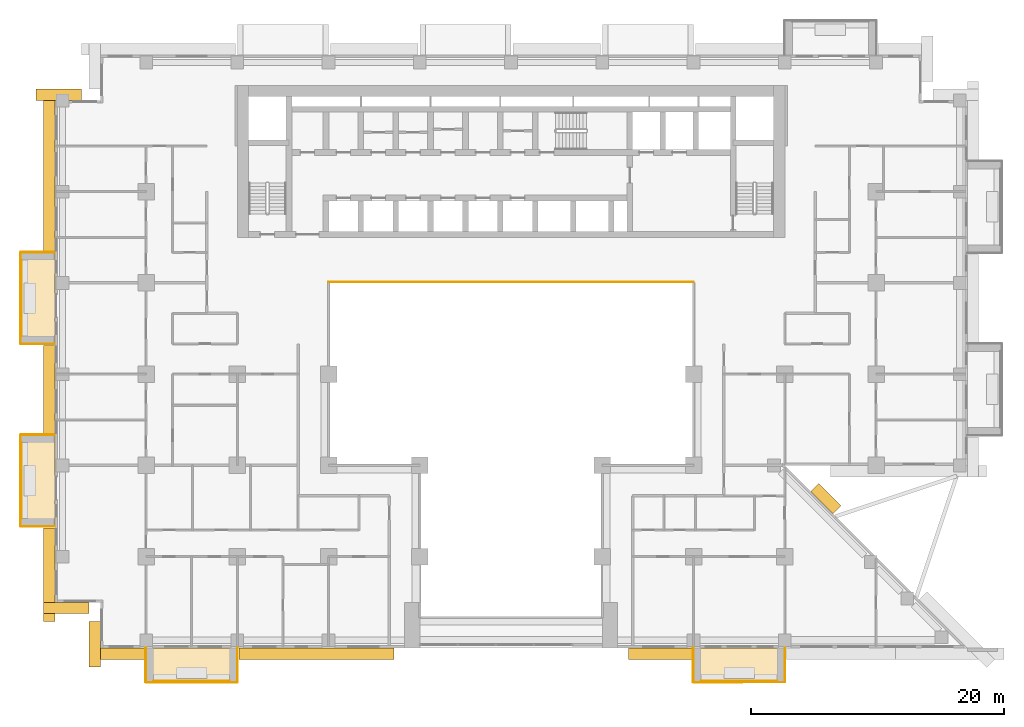
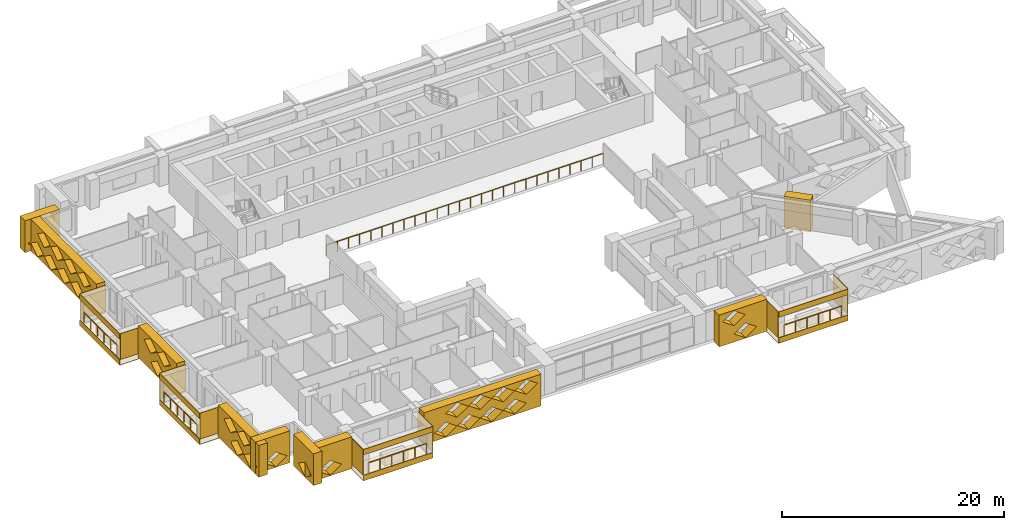
# One storey, part 13 of 16: 30 coverings, 5 railings.
"""IFC4 building model written with IfcOpenShell, lengths in metres."""

from ifc_helpers import new_model, si_unit, direction, frame, origin, origin_2d, place, context, subcontext, project, spatial, polyline, circle, outline, extrude, material, layer, layer_set, type_object, element, save


model = new_model("IFC4")

# Units and contexts
model_context = context("Model", 3, precision=1e-05, world=origin(), true_north=direction((0.0, 1.0)))
body_context = subcontext(model_context, "Body", "Model", "MODEL_VIEW")
ifc_project = project(units=[si_unit("LENGTHUNIT", "METRE"), si_unit("AREAUNIT", "SQUARE_METRE"), si_unit("VOLUMEUNIT", "CUBIC_METRE"), si_unit("PLANEANGLEUNIT", "RADIAN"), si_unit("MASSUNIT", "GRAM", prefix="KILO")], contexts=[model_context])

# Site, building, storey
site_placement = place(None, origin())
site = spatial("IfcSite", under=ifc_project, at=site_placement, CompositionType="ELEMENT")
building_placement = place(site_placement, origin())
building = spatial("IfcBuilding", under=site, at=building_placement, Name="Saffron Iwan Residences", CompositionType="ELEMENT")
storey_placement = place(building_placement, frame((0.0, 0.0, 65.5)))
storey = spatial("IfcBuildingStorey", under=building, at=storey_placement, Name="L16", CompositionType="ELEMENT", Elevation=65.5)

# Railings
ifc_material_1 = material(Name="Stainless steel 316", Category="steel")
railing_type_1 = type_object("IfcRailingType", Name="Atrium guard 1150", PredefinedType="GUARDRAIL", material=ifc_material_1)
railing_placement = place(storey_placement, frame((36.0, 62.47509765625, 0.0)))
element("IfcRailing", 1, at=railing_placement, inside=storey, type_object=railing_type_1, Name="Atrium guard L16", PredefinedType="GUARDRAIL", context=body_context, shape_type="SweptSolid", body=[
    extrude(circle(Radius=0.02392578125, at=origin_2d()), frame((0.0, 0.0, 1.1259765625), z_axis=(1.0, 0.0, 0.0), x_axis=(0.0, 1.0, 0.0)), (0.0, 0.0, 1.0), 28.800048828125),
    extrude(circle(Radius=0.02099609375, at=origin_2d()), origin(), (0.0, 0.0, 1.0), 1.101806640625),
    extrude(circle(Radius=0.02099609375, at=origin_2d()), frame((1.152099609375, 0.0, 0.0)), (0.0, 0.0, 1.0), 1.101806640625),
    extrude(circle(Radius=0.02099609375, at=origin_2d()), frame((2.303955078125, 0.0, 0.0)), (0.0, 0.0, 1.0), 1.101806640625),
    extrude(circle(Radius=0.02099609375, at=origin_2d()), frame((3.4560546875, 0.0, 0.0)), (0.0, 0.0, 1.0), 1.101806640625),
    extrude(circle(Radius=0.02099609375, at=origin_2d()), frame((4.60791015625, 0.0, 0.0)), (0.0, 0.0, 1.0), 1.101806640625),
    extrude(circle(Radius=0.02099609375, at=origin_2d()), frame((5.760009765625, 0.0, 0.0)), (0.0, 0.0, 1.0), 1.101806640625),
    extrude(circle(Radius=0.02099609375, at=origin_2d()), frame((6.912109375, 0.0, 0.0)), (0.0, 0.0, 1.0), 1.101806640625),
    extrude(circle(Radius=0.02099609375, at=origin_2d()), frame((8.06396484375, 0.0, 0.0)), (0.0, 0.0, 1.0), 1.101806640625),
    extrude(circle(Radius=0.02099609375, at=origin_2d()), frame((9.216064453125, 0.0, 0.0)), (0.0, 0.0, 1.0), 1.101806640625),
    extrude(circle(Radius=0.02099609375, at=origin_2d()), frame((10.367919921875, 0.0, 0.0)), (0.0, 0.0, 1.0), 1.101806640625),
    extrude(circle(Radius=0.02099609375, at=origin_2d()), frame((11.52001953125, 0.0, 0.0)), (0.0, 0.0, 1.0), 1.101806640625),
    extrude(circle(Radius=0.02099609375, at=origin_2d()), frame((12.672119140625, 0.0, 0.0)), (0.0, 0.0, 1.0), 1.101806640625),
    extrude(circle(Radius=0.02099609375, at=origin_2d()), frame((13.823974609375, 0.0, 0.0)), (0.0, 0.0, 1.0), 1.101806640625),
    extrude(circle(Radius=0.02099609375, at=origin_2d()), frame((14.97607421875, 0.0, 0.0)), (0.0, 0.0, 1.0), 1.101806640625),
    extrude(circle(Radius=0.02099609375, at=origin_2d()), frame((16.1279296875, 0.0, 0.0)), (0.0, 0.0, 1.0), 1.101806640625),
    extrude(circle(Radius=0.02099609375, at=origin_2d()), frame((17.280029296875, 0.0, 0.0)), (0.0, 0.0, 1.0), 1.101806640625),
    extrude(circle(Radius=0.02099609375, at=origin_2d()), frame((18.43212890625, 0.0, 0.0)), (0.0, 0.0, 1.0), 1.101806640625),
    extrude(circle(Radius=0.02099609375, at=origin_2d()), frame((19.583984375, 0.0, 0.0)), (0.0, 0.0, 1.0), 1.101806640625),
    extrude(circle(Radius=0.02099609375, at=origin_2d()), frame((20.736083984375, 0.0, 0.0)), (0.0, 0.0, 1.0), 1.101806640625),
    extrude(circle(Radius=0.02099609375, at=origin_2d()), frame((21.887939453125, 0.0, 0.0)), (0.0, 0.0, 1.0), 1.101806640625),
    extrude(circle(Radius=0.02099609375, at=origin_2d()), frame((23.0400390625, 0.0, 0.0)), (0.0, 0.0, 1.0), 1.101806640625),
    extrude(circle(Radius=0.02099609375, at=origin_2d()), frame((24.192138671875, 0.0, 0.0)), (0.0, 0.0, 1.0), 1.101806640625),
    extrude(circle(Radius=0.02099609375, at=origin_2d()), frame((25.343994140625, 0.0, 0.0)), (0.0, 0.0, 1.0), 1.101806640625),
    extrude(circle(Radius=0.02099609375, at=origin_2d()), frame((26.49609375, 0.0, 0.0)), (0.0, 0.0, 1.0), 1.101806640625),
    extrude(circle(Radius=0.02099609375, at=origin_2d()), frame((27.64794921875, 0.0, 0.0)), (0.0, 0.0, 1.0), 1.101806640625),
    extrude(circle(Radius=0.02099609375, at=origin_2d()), frame((28.800048828125, 0.0, 0.0)), (0.0, 0.0, 1.0), 1.101806640625),
])
railing_type_2 = type_object("IfcRailingType", Name="BALCONY GUARD 1150", PredefinedType="GUARDRAIL", material=ifc_material_1)
for number, where, name in (
    (2, (11.77490234375, 64.199951171875, 0.0), "Balcony guard L16 F8-0"),
    (3, (11.77490234375, 49.800048828125, 0.0), "Balcony guard L16 F8-1"),
):
    element("IfcRailing", number, at=place(storey_placement, frame(where)), inside=storey, type_object=railing_type_2, Name=name, PredefinedType="GUARDRAIL", context=body_context, shape_type="SweptSolid", body=[
        extrude(circle(Radius=0.02392578125, at=origin_2d()), frame((0.0, 0.0, 1.1259765625), z_axis=(0.0, -1.0, 0.0), x_axis=(1.0, 0.0, 0.0)), (0.0, 0.0, 1.0), 6.0),
        extrude(circle(Radius=0.02099609375, at=origin_2d()), origin(), (0.0, 0.0, 1.0), 1.101806640625),
        extrude(circle(Radius=0.02099609375, at=origin_2d()), frame((0.0, -1.199951171875, 0.0)), (0.0, 0.0, 1.0), 1.101806640625),
        extrude(circle(Radius=0.02099609375, at=origin_2d()), frame((0.0, -2.39990234375, 0.0)), (0.0, 0.0, 1.0), 1.101806640625),
        extrude(circle(Radius=0.02099609375, at=origin_2d()), frame((0.0, -3.60009765625, 0.0)), (0.0, 0.0, 1.0), 1.101806640625),
        extrude(circle(Radius=0.02099609375, at=origin_2d()), frame((0.0, -4.800048828125, 0.0)), (0.0, 0.0, 1.0), 1.101806640625),
        extrude(circle(Radius=0.02099609375, at=origin_2d()), frame((0.0, -6.0, 0.0)), (0.0, 0.0, 1.0), 1.101806640625),
    ])
for number, where, name in (
    (4, (22.199951171875, 30.97509765625, 0.0), "Balcony guard L16 11-0"),
    (5, (65.39990234375, 30.97509765625, 0.0), "Balcony guard L16 11-1"),
):
    element("IfcRailing", number, at=place(storey_placement, frame(where)), inside=storey, type_object=railing_type_2, Name=name, PredefinedType="GUARDRAIL", context=body_context, shape_type="SweptSolid", body=[
        extrude(circle(Radius=0.02392578125, at=origin_2d()), frame((0.0, 0.0, 1.1259765625), z_axis=(1.0, 0.0, 0.0), x_axis=(0.0, 1.0, 0.0)), (0.0, 0.0, 1.0), 6.0),
        extrude(circle(Radius=0.02099609375, at=origin_2d()), origin(), (0.0, 0.0, 1.0), 1.101806640625),
        extrude(circle(Radius=0.02099609375, at=origin_2d()), frame((1.199951171875, 0.0, 0.0)), (0.0, 0.0, 1.0), 1.101806640625),
        extrude(circle(Radius=0.02099609375, at=origin_2d()), frame((2.39990234375, 0.0, 0.0)), (0.0, 0.0, 1.0), 1.101806640625),
        extrude(circle(Radius=0.02099609375, at=origin_2d()), frame((3.60009765625, 0.0, 0.0)), (0.0, 0.0, 1.0), 1.101806640625),
        extrude(circle(Radius=0.02099609375, at=origin_2d()), frame((4.800048828125, 0.0, 0.0)), (0.0, 0.0, 1.0), 1.101806640625),
        extrude(circle(Radius=0.02099609375, at=origin_2d()), frame((6.0, 0.0, 0.0)), (0.0, 0.0, 1.0), 1.101806640625),
    ])

# Coverings
ifc_material_2 = material(Name="Precast concrete C40/50 white painted", Category="concrete")
ifc_layer = layer(ifc_material_2, 0.050048828125)
ifc_layer_set = layer_set([ifc_layer], Name="Precast concrete C40/50 white painted")
covering_type_1 = type_object("IfcCoveringType", Name="FRAME SKIN PRECAST WHITE 50", PredefinedType="CLADDING", material=ifc_layer_set)
for number, where, name in (
    (6, (0.0, 0.0, -0.60009765625), "Frame skin slab edge L16 F8-0"),
    (7, (0.0, 0.0, 2.25), "Frame skin fascia L16 F8-0"),
):
    element("IfcCovering", number, at=place(storey_placement, frame(where)), inside=storey, type_object=covering_type_1, Name=name, PredefinedType="CLADDING", context=body_context, shape_type="SweptSolid", body=[
        extrude(outline(polyline([(11.64990234375, 64.800048828125), (11.64990234375, 57.60009765625), (11.699951171875, 57.60009765625), (11.699951171875, 64.800048828125), (11.64990234375, 64.800048828125)])), origin(), (0.0, 0.0, 1.0), 0.60009765625),
    ])
covering_1_placement = place(storey_placement, frame((0.0, 0.0, -0.64990234375)))
element("IfcCovering", 8, at=covering_1_placement, inside=storey, type_object=covering_type_1, Name="Frame skin soffit L16 F8-0", PredefinedType="CLADDING", context=body_context, shape_type="SweptSolid", body=[
    extrude(outline(polyline([(11.699951171875, 64.800048828125), (11.699951171875, 57.60009765625), (14.39990234375, 57.60009765625), (14.39990234375, 64.800048828125), (11.699951171875, 64.800048828125)])), origin(), (0.0, 0.0, 1.0), 0.0498046875),
])
covering_2_placement = place(storey_placement, origin())
element("IfcCovering", 9, at=covering_2_placement, inside=storey, type_object=covering_type_1, Name="Frame skin fin L16 F8-0a", PredefinedType="CLADDING", context=body_context, shape_type="SweptSolid", body=[
    extrude(outline(polyline([(11.699951171875, 64.85009765625), (11.699951171875, 64.800048828125), (14.39990234375, 64.800048828125), (14.39990234375, 64.85009765625), (11.699951171875, 64.85009765625)])), origin(), (0.0, 0.0, 1.0), 2.85009765625),
])
covering_3_placement = place(storey_placement, origin())
element("IfcCovering", 10, at=covering_3_placement, inside=storey, type_object=covering_type_1, Name="Frame skin fin L16 F8-0b", PredefinedType="CLADDING", context=body_context, shape_type="SweptSolid", body=[
    extrude(outline(polyline([(11.699951171875, 57.60009765625), (11.699951171875, 57.550048828125), (14.39990234375, 57.550048828125), (14.39990234375, 57.60009765625), (11.699951171875, 57.60009765625)])), origin(), (0.0, 0.0, 1.0), 2.85009765625),
])
for number, where, name in (
    (11, (0.0, 0.0, -0.60009765625), "Frame skin slab edge L16 F8-1"),
    (12, (0.0, 0.0, 2.25), "Frame skin fascia L16 F8-1"),
):
    element("IfcCovering", number, at=place(storey_placement, frame(where)), inside=storey, type_object=covering_type_1, Name=name, PredefinedType="CLADDING", context=body_context, shape_type="SweptSolid", body=[
        extrude(outline(polyline([(11.64990234375, 50.39990234375), (11.64990234375, 43.199951171875), (11.699951171875, 43.199951171875), (11.699951171875, 50.39990234375), (11.64990234375, 50.39990234375)])), origin(), (0.0, 0.0, 1.0), 0.60009765625),
    ])
covering_4_placement = place(storey_placement, frame((0.0, 0.0, -0.64990234375)))
element("IfcCovering", 13, at=covering_4_placement, inside=storey, type_object=covering_type_1, Name="Frame skin soffit L16 F8-1", PredefinedType="CLADDING", context=body_context, shape_type="SweptSolid", body=[
    extrude(outline(polyline([(11.699951171875, 50.39990234375), (11.699951171875, 43.199951171875), (14.39990234375, 43.199951171875), (14.39990234375, 50.39990234375), (11.699951171875, 50.39990234375)])), origin(), (0.0, 0.0, 1.0), 0.0498046875),
])
covering_5_placement = place(storey_placement, origin())
element("IfcCovering", 14, at=covering_5_placement, inside=storey, type_object=covering_type_1, Name="Frame skin fin L16 F8-1a", PredefinedType="CLADDING", context=body_context, shape_type="SweptSolid", body=[
    extrude(outline(polyline([(11.699951171875, 50.449951171875), (11.699951171875, 50.39990234375), (14.39990234375, 50.39990234375), (14.39990234375, 50.449951171875), (11.699951171875, 50.449951171875)])), origin(), (0.0, 0.0, 1.0), 2.85009765625),
])
covering_6_placement = place(storey_placement, origin())
element("IfcCovering", 15, at=covering_6_placement, inside=storey, type_object=covering_type_1, Name="Frame skin fin L16 F8-1b", PredefinedType="CLADDING", context=body_context, shape_type="SweptSolid", body=[
    extrude(outline(polyline([(11.699951171875, 43.199951171875), (11.699951171875, 43.14990234375), (14.39990234375, 43.14990234375), (14.39990234375, 43.199951171875), (11.699951171875, 43.199951171875)])), origin(), (0.0, 0.0, 1.0), 2.85009765625),
])
for number, where, name in (
    (16, (0.0, 0.0, -0.60009765625), "Frame skin slab edge L16 11-0"),
    (17, (0.0, 0.0, 2.25), "Frame skin fascia L16 11-0"),
):
    element("IfcCovering", number, at=place(storey_placement, frame(where)), inside=storey, type_object=covering_type_1, Name=name, PredefinedType="CLADDING", context=body_context, shape_type="SweptSolid", body=[
        extrude(outline(polyline([(21.60009765625, 30.85009765625), (28.800048828125, 30.85009765625), (28.800048828125, 30.89990234375), (21.60009765625, 30.89990234375), (21.60009765625, 30.85009765625)])), origin(), (0.0, 0.0, 1.0), 0.60009765625),
    ])
covering_7_placement = place(storey_placement, frame((0.0, 0.0, -0.64990234375)))
element("IfcCovering", 18, at=covering_7_placement, inside=storey, type_object=covering_type_1, Name="Frame skin soffit L16 11-0", PredefinedType="CLADDING", context=body_context, shape_type="SweptSolid", body=[
    extrude(outline(polyline([(21.60009765625, 30.89990234375), (28.800048828125, 30.89990234375), (28.800048828125, 33.60009765625), (21.60009765625, 33.60009765625), (21.60009765625, 30.89990234375)])), origin(), (0.0, 0.0, 1.0), 0.0498046875),
])
covering_8_placement = place(storey_placement, origin())
element("IfcCovering", 19, at=covering_8_placement, inside=storey, type_object=covering_type_1, Name="Frame skin fin L16 11-0a", PredefinedType="CLADDING", context=body_context, shape_type="SweptSolid", body=[
    extrude(outline(polyline([(21.550048828125, 30.89990234375), (21.60009765625, 30.89990234375), (21.60009765625, 33.60009765625), (21.550048828125, 33.60009765625), (21.550048828125, 30.89990234375)])), origin(), (0.0, 0.0, 1.0), 2.85009765625),
])
covering_9_placement = place(storey_placement, origin())
element("IfcCovering", 20, at=covering_9_placement, inside=storey, type_object=covering_type_1, Name="Frame skin fin L16 11-0b", PredefinedType="CLADDING", context=body_context, shape_type="SweptSolid", body=[
    extrude(outline(polyline([(28.800048828125, 30.89990234375), (28.85009765625, 30.89990234375), (28.85009765625, 33.60009765625), (28.800048828125, 33.60009765625), (28.800048828125, 30.89990234375)])), origin(), (0.0, 0.0, 1.0), 2.85009765625),
])
for number, where, name in (
    (21, (0.0, 0.0, -0.60009765625), "Frame skin slab edge L16 11-1"),
    (22, (0.0, 0.0, 2.25), "Frame skin fascia L16 11-1"),
):
    element("IfcCovering", number, at=place(storey_placement, frame(where)), inside=storey, type_object=covering_type_1, Name=name, PredefinedType="CLADDING", context=body_context, shape_type="SweptSolid", body=[
        extrude(outline(polyline([(64.800048828125, 30.85009765625), (72.0, 30.85009765625), (72.0, 30.89990234375), (64.800048828125, 30.89990234375), (64.800048828125, 30.85009765625)])), origin(), (0.0, 0.0, 1.0), 0.60009765625),
    ])
covering_10_placement = place(storey_placement, frame((0.0, 0.0, -0.64990234375)))
element("IfcCovering", 23, at=covering_10_placement, inside=storey, type_object=covering_type_1, Name="Frame skin soffit L16 11-1", PredefinedType="CLADDING", context=body_context, shape_type="SweptSolid", body=[
    extrude(outline(polyline([(64.800048828125, 30.89990234375), (72.0, 30.89990234375), (72.0, 33.60009765625), (64.800048828125, 33.60009765625), (64.800048828125, 30.89990234375)])), origin(), (0.0, 0.0, 1.0), 0.0498046875),
])
covering_11_placement = place(storey_placement, origin())
element("IfcCovering", 24, at=covering_11_placement, inside=storey, type_object=covering_type_1, Name="Frame skin fin L16 11-1a", PredefinedType="CLADDING", context=body_context, shape_type="SweptSolid", body=[
    extrude(outline(polyline([(64.75, 30.89990234375), (64.800048828125, 30.89990234375), (64.800048828125, 33.60009765625), (64.75, 33.60009765625), (64.75, 30.89990234375)])), origin(), (0.0, 0.0, 1.0), 2.85009765625),
])
covering_12_placement = place(storey_placement, origin())
element("IfcCovering", 25, at=covering_12_placement, inside=storey, type_object=covering_type_1, Name="Frame skin fin L16 11-1b", PredefinedType="CLADDING", context=body_context, shape_type="SweptSolid", body=[
    extrude(outline(polyline([(72.0, 30.89990234375), (72.050048828125, 30.89990234375), (72.050048828125, 33.60009765625), (72.0, 33.60009765625), (72.0, 30.89990234375)])), origin(), (0.0, 0.0, 1.0), 2.85009765625),
])
ifc_material_3 = material(Name="Precast concrete C40/50", Category="concrete")
covering_type_2 = type_object("IfcCoveringType", Name="OUTER SKIN LATTICE SCREEN", PredefinedType="CLADDING", material=ifc_material_3)
covering_13_placement = place(storey_placement, frame((75.805908203125, 44.194091796875, -0.320068359375), z_axis=(0.707106781187, 0.707106781187, 0.0), x_axis=(-0.707106781187, 0.707106781187, 0.0)))
element("IfcCovering", 26, at=covering_13_placement, inside=storey, type_object=covering_type_2, Name="OUTER SKIN lattice screen L16 F0.1", PredefinedType="CLADDING", context=body_context, shape_type="SweptSolid", body=[
    extrude(outline(polyline([(0.0, 0.0), (2.4853515625, 0.0), (2.4853515625, 3.5), (0.0, 3.5), (0.0, 0.0)])), origin(), (0.0, 0.0, 1.0), 0.900146484375),
])
covering_14_placement = place(storey_placement, frame((16.5, 76.800048828125, -0.320068359375), z_axis=(0.0, 1.0, 0.0), x_axis=(-1.0, 0.0, 0.0)))
element("IfcCovering", 27, at=covering_14_placement, inside=storey, type_object=covering_type_2, Name="OUTER SKIN lattice screen L16 F7.0", PredefinedType="CLADDING", context=body_context, shape_type="SweptSolid", body=[
    extrude(outline(polyline([(0.0, 0.0), (3.60009765625, 0.0), (3.60009765625, 3.5), (0.0, 3.5), (0.0, 0.0)]), holes=[polyline([(0.919921875, 0.875), (2.10009765625, 0.06005859375), (3.280029296875, 0.875), (2.10009765625, 1.68994140625), (0.919921875, 0.875)])]), origin(), (0.0, 0.0, 1.0), 0.89990234375),
])
covering_15_placement = place(storey_placement, frame((14.39990234375, 77.699951171875, -0.320068359375), z_axis=(-1.0, 0.0, 0.0), x_axis=(0.0, -1.0, 0.0)))
element("IfcCovering", 28, at=covering_15_placement, inside=storey, type_object=covering_type_2, Name="OUTER SKIN lattice screen L16 F8.0", PredefinedType="CLADDING", context=body_context, shape_type="SweptSolid", body=[
    extrude(outline(polyline([(0.0, 0.0), (12.75, 0.0), (12.75, 3.5), (0.0, 3.5), (0.0, 0.0)]), holes=[polyline([(0.919921875, 0.875), (2.10009765625, 0.06005859375), (3.280029296875, 0.875), (2.10009765625, 1.68994140625), (0.919921875, 0.875)]), polyline([(3.320068359375, 0.875), (4.5, 0.06005859375), (5.679931640625, 0.875), (4.5, 1.68994140625), (3.320068359375, 0.875)]), polyline([(5.719970703125, 0.875), (6.89990234375, 0.06005859375), (8.080078125, 0.875), (6.89990234375, 1.68994140625), (5.719970703125, 0.875)]), polyline([(8.1201171875, 0.875), (9.300048828125, 0.06005859375), (10.47998046875, 0.875), (9.300048828125, 1.68994140625), (8.1201171875, 0.875)]), polyline([(2.1201171875, 2.625), (3.300048828125, 1.81005859375), (4.47998046875, 2.625), (3.300048828125, 3.43994140625), (2.1201171875, 2.625)]), polyline([(4.52001953125, 2.625), (5.699951171875, 1.81005859375), (6.8798828125, 2.625), (5.699951171875, 3.43994140625), (4.52001953125, 2.625)]), polyline([(6.919921875, 2.625), (8.10009765625, 1.81005859375), (9.280029296875, 2.625), (8.10009765625, 3.43994140625), (6.919921875, 2.625)]), polyline([(9.320068359375, 2.625), (10.5, 1.81005859375), (11.679931640625, 2.625), (10.5, 3.43994140625), (9.320068359375, 2.625)])]), origin(), (0.0, 0.0, 1.0), 0.89990234375),
])
covering_16_placement = place(storey_placement, frame((14.39990234375, 57.449951171875, -0.320068359375), z_axis=(-1.0, 0.0, 0.0), x_axis=(0.0, -1.0, 0.0)))
element("IfcCovering", 29, at=covering_16_placement, inside=storey, type_object=covering_type_2, Name="OUTER SKIN lattice screen L16 F8.1", PredefinedType="CLADDING", context=body_context, shape_type="SweptSolid", body=[
    extrude(outline(polyline([(0.0, 0.0), (6.89990234375, 0.0), (6.89990234375, 3.5), (0.0, 3.5), (0.0, 0.0)]), holes=[polyline([(2.27001953125, 0.875), (3.449951171875, 0.06005859375), (4.6298828125, 0.875), (3.449951171875, 1.68994140625), (2.27001953125, 0.875)]), polyline([(1.070068359375, 2.625), (2.25, 1.81005859375), (3.429931640625, 2.625), (2.25, 3.43994140625), (1.070068359375, 2.625)]), polyline([(3.469970703125, 2.625), (4.64990234375, 1.81005859375), (5.830078125, 2.625), (4.64990234375, 3.43994140625), (3.469970703125, 2.625)])]), origin(), (0.0, 0.0, 1.0), 0.89990234375),
])
covering_17_placement = place(storey_placement, frame((14.39990234375, 43.050048828125, -0.320068359375), z_axis=(-1.0, 0.0, 0.0), x_axis=(0.0, -1.0, 0.0)))
element("IfcCovering", 30, at=covering_17_placement, inside=storey, type_object=covering_type_2, Name="OUTER SKIN lattice screen L16 F8.2", PredefinedType="CLADDING", context=body_context, shape_type="SweptSolid", body=[
    extrude(outline(polyline([(0.0, 0.0), (7.35009765625, 0.0), (7.35009765625, 3.5), (0.0, 3.5), (0.0, 0.0)]), holes=[polyline([(2.27001953125, 0.875), (3.449951171875, 0.06005859375), (4.6298828125, 0.875), (3.449951171875, 1.68994140625), (2.27001953125, 0.875)]), polyline([(4.669921875, 0.875), (5.85009765625, 0.06005859375), (7.030029296875, 0.875), (5.85009765625, 1.68994140625), (4.669921875, 0.875)]), polyline([(1.070068359375, 2.625), (2.25, 1.81005859375), (3.429931640625, 2.625), (2.25, 3.43994140625), (1.070068359375, 2.625)]), polyline([(3.469970703125, 2.625), (4.64990234375, 1.81005859375), (5.830078125, 2.625), (4.64990234375, 3.43994140625), (3.469970703125, 2.625)])]), origin(), (0.0, 0.0, 1.0), 0.89990234375),
])
for number, where, z_axis, x_axis, name in (
    (31, (13.5, 37.199951171875, -0.320068359375), (0.0, -1.0, 0.0), (1.0, 0.0, 0.0), "OUTER SKIN lattice screen L16 F9.0"),
    (32, (18.0, 35.699951171875, -0.320068359375), (-1.0, 0.0, 0.0), (0.0, -1.0, 0.0), "OUTER SKIN lattice screen L16 F10.0"),
):
    element("IfcCovering", number, at=place(storey_placement, frame(where, z_axis=z_axis, x_axis=x_axis)), inside=storey, type_object=covering_type_2, Name=name, PredefinedType="CLADDING", context=body_context, shape_type="SweptSolid", body=[
        extrude(outline(polyline([(0.0, 0.0), (3.60009765625, 0.0), (3.60009765625, 3.5), (0.0, 3.5), (0.0, 0.0)]), holes=[polyline([(0.919921875, 0.875), (2.10009765625, 0.06005859375), (3.280029296875, 0.875), (2.10009765625, 1.68994140625), (0.919921875, 0.875)])]), origin(), (0.0, 0.0, 1.0), 0.89990234375),
    ])
covering_18_placement = place(storey_placement, frame((17.10009765625, 33.60009765625, -0.320068359375), z_axis=(0.0, -1.0, 0.0), x_axis=(1.0, 0.0, 0.0)))
element("IfcCovering", 33, at=covering_18_placement, inside=storey, type_object=covering_type_2, Name="OUTER SKIN lattice screen L16 F11.0", PredefinedType="CLADDING", context=body_context, shape_type="SweptSolid", body=[
    extrude(outline(polyline([(0.0, 0.0), (4.35009765625, 0.0), (4.35009765625, 3.5), (0.0, 3.5), (0.0, 0.0)]), holes=[polyline([(0.919921875, 0.875), (2.10009765625, 0.06005859375), (3.280029296875, 0.875), (2.10009765625, 1.68994140625), (0.919921875, 0.875)])]), origin(), (0.0, 0.0, 1.0), 0.900146484375),
])
covering_19_placement = place(storey_placement, frame((28.949951171875, 33.60009765625, -0.320068359375), z_axis=(0.0, -1.0, 0.0), x_axis=(1.0, 0.0, 0.0)))
element("IfcCovering", 34, at=covering_19_placement, inside=storey, type_object=covering_type_2, Name="OUTER SKIN lattice screen L16 F11.1", PredefinedType="CLADDING", context=body_context, shape_type="SweptSolid", body=[
    extrude(outline(polyline([(0.0, 0.0), (12.199951171875, 0.0), (12.199951171875, 3.5), (0.0, 3.5), (0.0, 0.0)]), holes=[polyline([(1.070068359375, 0.875), (2.25, 0.06005859375), (3.429931640625, 0.875), (2.25, 1.68994140625), (1.070068359375, 0.875)]), polyline([(3.469970703125, 0.875), (4.64990234375, 0.06005859375), (5.830078125, 0.875), (4.64990234375, 1.68994140625), (3.469970703125, 0.875)]), polyline([(5.8701171875, 0.875), (7.050048828125, 0.06005859375), (8.22998046875, 0.875), (7.050048828125, 1.68994140625), (5.8701171875, 0.875)]), polyline([(8.27001953125, 0.875), (9.449951171875, 0.06005859375), (10.6298828125, 0.875), (9.449951171875, 1.68994140625), (8.27001953125, 0.875)]), polyline([(2.27001953125, 2.625), (3.449951171875, 1.81005859375), (4.6298828125, 2.625), (3.449951171875, 3.43994140625), (2.27001953125, 2.625)]), polyline([(4.669921875, 2.625), (5.85009765625, 1.81005859375), (7.030029296875, 2.625), (5.85009765625, 3.43994140625), (4.669921875, 2.625)]), polyline([(7.070068359375, 2.625), (8.25, 1.81005859375), (9.429931640625, 2.625), (8.25, 3.43994140625), (7.070068359375, 2.625)]), polyline([(9.469970703125, 2.625), (10.64990234375, 1.81005859375), (11.830078125, 2.625), (10.64990234375, 3.43994140625), (9.469970703125, 2.625)])]), origin(), (0.0, 0.0, 1.0), 0.900146484375),
])
covering_20_placement = place(storey_placement, frame((59.64990234375, 33.60009765625, -0.320068359375), z_axis=(0.0, -1.0, 0.0), x_axis=(1.0, 0.0, 0.0)))
element("IfcCovering", 35, at=covering_20_placement, inside=storey, type_object=covering_type_2, Name="OUTER SKIN lattice screen L16 F11.2", PredefinedType="CLADDING", context=body_context, shape_type="SweptSolid", body=[
    extrude(outline(polyline([(0.0, 0.0), (5.0, 0.0), (5.0, 3.5), (0.0, 3.5), (0.0, 0.0)]), holes=[polyline([(1.570068359375, 0.875), (2.75, 0.06005859375), (3.929931640625, 0.875), (2.75, 1.68994140625), (1.570068359375, 0.875)]), polyline([(0.3701171875, 2.625), (1.550048828125, 1.81005859375), (2.72998046875, 2.625), (1.550048828125, 3.43994140625), (0.3701171875, 2.625)])]), origin(), (0.0, 0.0, 1.0), 0.900146484375),
])

save(model, "model.ifc")
